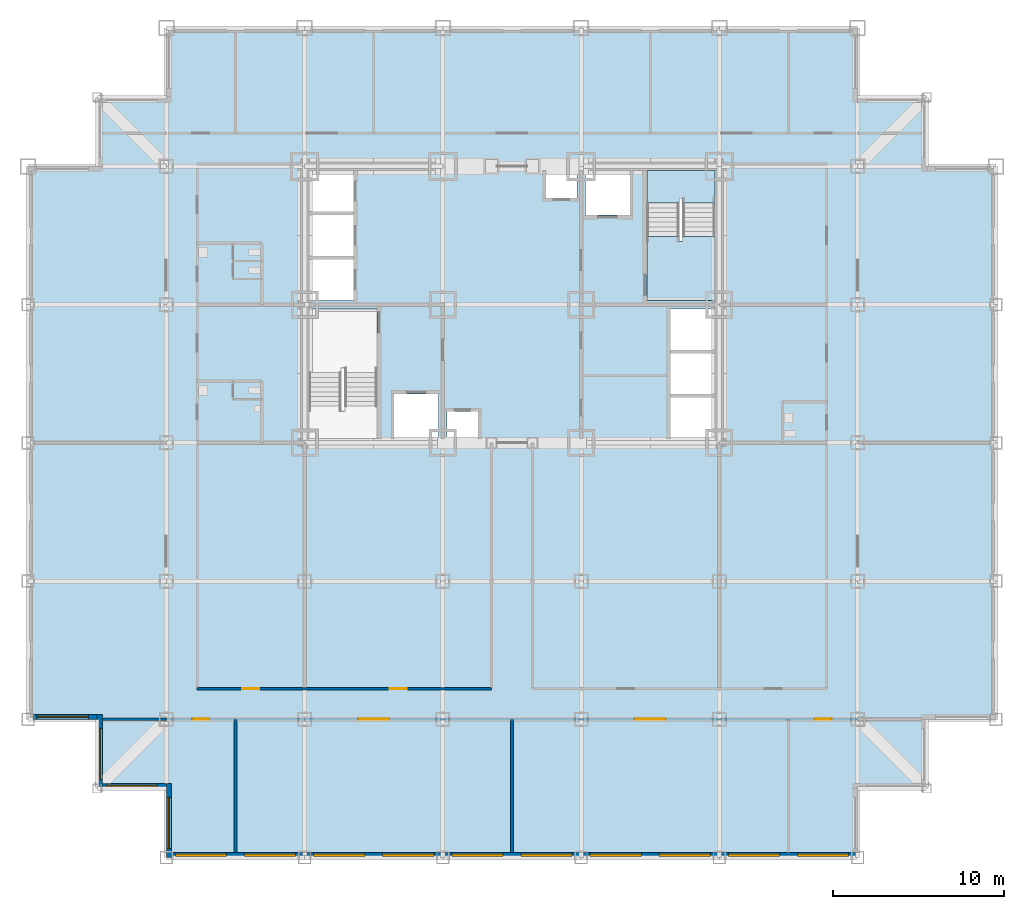
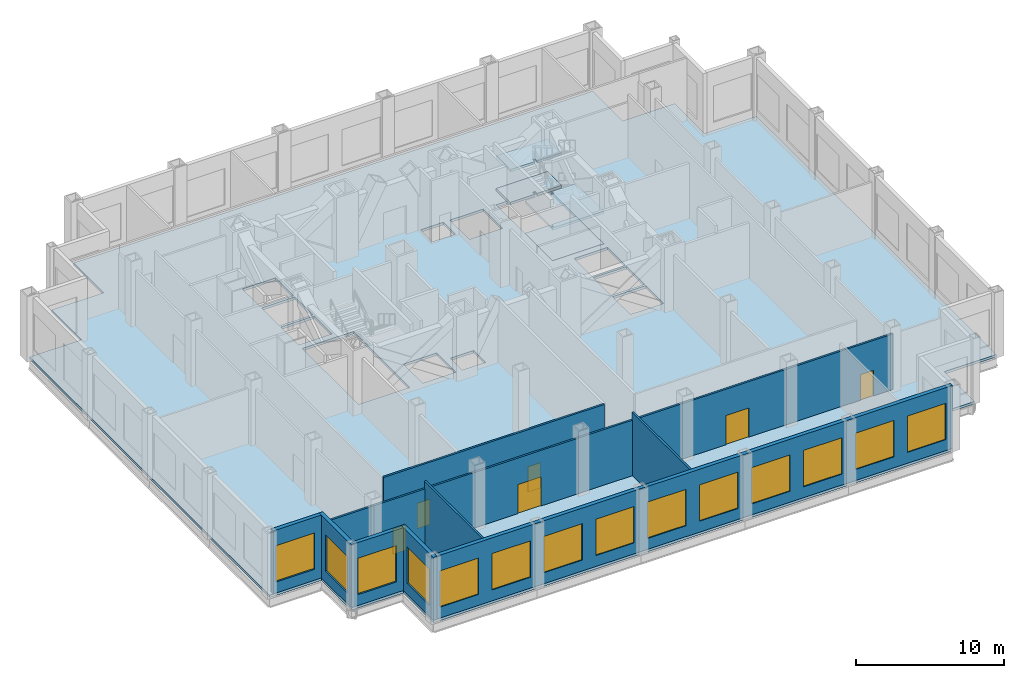
# One storey, part 3 of 10: 14 windows, 10 walls, 6 doors, 5 slabs, 20 openings, 1 element without a shape of its own.
"""IFC4 building model written with IfcOpenShell, lengths in metres."""

from ifc_helpers import new_model, si_unit, direction, frame, frame_2d, origin, place, context, subcontext, project, spatial, polyline, rectangle, outline, extrude, material, layer, layer_set, type_object, element, fill, aggregate, save


model = new_model("IFC4")

# Units and contexts
model_context = context("Model", 3, precision=1e-05, world=origin(), true_north=direction((0.0, 1.0)))
body_context = subcontext(model_context, "Body", "Model", "MODEL_VIEW")
ifc_project = project(units=[si_unit("LENGTHUNIT", "METRE"), si_unit("AREAUNIT", "SQUARE_METRE"), si_unit("VOLUMEUNIT", "CUBIC_METRE"), si_unit("PLANEANGLEUNIT", "RADIAN"), si_unit("MASSUNIT", "GRAM", prefix="KILO")], contexts=[model_context])

# Site, building, storey
site_placement = place(None, origin())
site = spatial("IfcSite", under=ifc_project, at=site_placement, CompositionType="ELEMENT")
building_placement = place(site_placement, origin())
building = spatial("IfcBuilding", under=site, at=building_placement, Name="Kopane Lantern Tower", CompositionType="ELEMENT")
storey_placement = place(building_placement, frame((0.0, 0.0, 27.60009765625)))
storey = spatial("IfcBuildingStorey", under=building, at=storey_placement, Name="L05", CompositionType="ELEMENT", Elevation=27.60009765625)

# Slab
ifc_material_1 = material(Name="Concrete C40/50", Category="concrete")
ifc_layer_1 = layer(ifc_material_1, 0.2099609375)
ifc_layer_set_1 = layer_set([ifc_layer_1], Name="SLAB 210 COMPOSITE")
slab_type_1 = type_object("IfcSlabType", Name="SLAB 210 COMPOSITE", PredefinedType="FLOOR", material=ifc_layer_set_1)
slab_1_placement = place(storey_placement, frame((0.0, 0.0, -0.210205078125)))
element("IfcSlab", 1, at=slab_1_placement, inside=storey, type_object=slab_type_1, Name="Floor slab L05", PredefinedType="FLOOR", context=body_context, shape_type="SweptSolid", body=[
    extrude(outline(polyline([(8.10009765625, 0.0), (48.60009765625, 0.0), (48.60009765625, 4.050048828125), (52.64990234375, 4.050048828125), (52.64990234375, 8.10009765625), (56.699951171875, 8.10009765625), (56.699951171875, 40.5), (52.64990234375, 40.5), (52.64990234375, 44.550048828125), (48.60009765625, 44.550048828125), (48.60009765625, 48.60009765625), (8.10009765625, 48.60009765625), (8.10009765625, 44.550048828125), (4.050048828125, 44.550048828125), (4.050048828125, 40.5), (0.0, 40.5), (0.0, 8.10009765625), (4.050048828125, 8.10009765625), (4.050048828125, 4.050048828125), (8.10009765625, 4.050048828125), (8.10009765625, 0.0)]), holes=[polyline([(16.449951171875, 24.550048828125), (20.449951171875, 24.550048828125), (20.449951171875, 32.14990234375), (16.449951171875, 32.14990234375), (16.449951171875, 24.550048828125)]), polyline([(36.25, 32.64990234375), (40.25, 32.64990234375), (40.25, 40.25), (36.25, 40.25), (36.25, 32.64990234375)]), polyline([(16.449951171875, 32.64990234375), (19.050048828125, 32.64990234375), (19.050048828125, 35.050048828125), (16.449951171875, 35.050048828125), (16.449951171875, 32.64990234375)]), polyline([(16.449951171875, 35.25), (19.050048828125, 35.25), (19.050048828125, 37.64990234375), (16.449951171875, 37.64990234375), (16.449951171875, 35.25)]), polyline([(16.449951171875, 37.85009765625), (19.050048828125, 37.85009765625), (19.050048828125, 40.25), (16.449951171875, 40.25), (16.449951171875, 37.85009765625)]), polyline([(37.64990234375, 24.550048828125), (40.25, 24.550048828125), (40.25, 26.949951171875), (37.64990234375, 26.949951171875), (37.64990234375, 24.550048828125)]), polyline([(37.64990234375, 27.14990234375), (40.25, 27.14990234375), (40.25, 29.550048828125), (37.64990234375, 29.550048828125), (37.64990234375, 27.14990234375)]), polyline([(37.64990234375, 29.75), (40.25, 29.75), (40.25, 32.14990234375), (37.64990234375, 32.14990234375), (37.64990234375, 29.75)]), polyline([(21.449951171875, 24.550048828125), (24.050048828125, 24.550048828125), (24.050048828125, 27.14990234375), (21.449951171875, 27.14990234375), (21.449951171875, 24.550048828125)]), polyline([(32.64990234375, 37.64990234375), (35.25, 37.64990234375), (35.25, 40.25), (32.64990234375, 40.25), (32.64990234375, 37.64990234375)]), polyline([(24.550048828125, 24.550048828125), (26.35009765625, 24.550048828125), (26.35009765625, 26.14990234375), (24.550048828125, 26.14990234375), (24.550048828125, 24.550048828125)]), polyline([(30.35009765625, 38.64990234375), (32.14990234375, 38.64990234375), (32.14990234375, 40.25), (30.35009765625, 40.25), (30.35009765625, 38.64990234375)])]), origin(), (0.0, 0.0, 1.0), 0.210205078125),
])

# Stair, slabs
ifc_material_2 = material(Name="Steel S355JR", Category="steel")
stair_type = type_object("IfcStairType", Name="EXIT STAIR 1900 HALF TURN", PredefinedType="HALF_TURN_STAIR", material=ifc_material_2)
stair_placement = place(storey_placement, origin())
stair = element("IfcStair", 2, at=stair_placement, inside=storey, type_object=stair_type, Name="Exit stair ST2 L05", PredefinedType="HALF_TURN_STAIR")
ifc_material_3 = material(Name="Concrete C40/50", Category="concrete")
ifc_layer_2 = layer(ifc_material_3, 0.199951171875)
ifc_layer_set_2 = layer_set([ifc_layer_2], Name="STAIR LANDING 200")
slab_type_2 = type_object("IfcSlabType", Name="STAIR LANDING 200", PredefinedType="LANDING", material=ifc_layer_set_2)
slab_2_placement = place(storey_placement, frame((0.0, 0.0, -0.2001953125)))
slab_2 = element("IfcSlab", 3, at=slab_2_placement, type_object=slab_type_2, Name="ST2 landing 1", PredefinedType="LANDING", context=body_context, shape_type="SweptSolid", body=[
    extrude(outline(polyline([(40.25, 36.389892578125), (38.35009765625, 36.389892578125), (38.35009765625, 36.110107421875), (38.14990234375, 36.110107421875), (38.14990234375, 36.389892578125), (36.25, 36.389892578125), (36.25, 32.64990234375), (40.25, 32.64990234375), (40.25, 36.389892578125)])), origin(), (0.0, 0.0, 1.0), 0.2001953125),
])
slab_3_placement = place(storey_placement, frame((0.0, 0.0, 1.14990234375)))
slab_3 = element("IfcSlab", 4, at=slab_3_placement, type_object=slab_type_2, Name="ST2 landing 2", PredefinedType="LANDING", context=body_context, shape_type="SweptSolid", body=[
    extrude(outline(polyline([(38.14990234375, 38.6298828125), (38.35009765625, 38.6298828125), (38.35009765625, 38.35009765625), (40.25, 38.35009765625), (40.25, 40.25), (36.25, 40.25), (36.25, 38.35009765625), (38.14990234375, 38.35009765625), (38.14990234375, 38.6298828125)])), origin(), (0.0, 0.0, 1.0), 0.199951171875),
])
slab_4_placement = place(storey_placement, frame((0.0, 0.0, 2.5)))
slab_4 = element("IfcSlab", 5, at=slab_4_placement, type_object=slab_type_2, Name="ST2 landing 3", PredefinedType="LANDING", context=body_context, shape_type="SweptSolid", body=[
    extrude(outline(polyline([(40.25, 36.389892578125), (38.35009765625, 36.389892578125), (38.35009765625, 36.110107421875), (38.14990234375, 36.110107421875), (38.14990234375, 36.389892578125), (36.25, 36.389892578125), (36.25, 32.64990234375), (40.25, 32.64990234375), (40.25, 36.389892578125)])), origin(), (0.0, 0.0, 1.0), 0.199951171875),
])
slab_5_placement = place(storey_placement, frame((0.0, 0.0, 3.849853515625)))
slab_5 = element("IfcSlab", 6, at=slab_5_placement, type_object=slab_type_2, Name="ST2 landing 4", PredefinedType="LANDING", context=body_context, shape_type="SweptSolid", body=[
    extrude(outline(polyline([(38.14990234375, 38.6298828125), (38.35009765625, 38.6298828125), (38.35009765625, 38.35009765625), (40.25, 38.35009765625), (40.25, 40.25), (36.25, 40.25), (36.25, 38.35009765625), (38.14990234375, 38.35009765625), (38.14990234375, 38.6298828125)])), origin(), (0.0, 0.0, 1.0), 0.199951171875),
])
aggregate(stair, [slab_2, slab_3, slab_4, slab_5])

# Wall, openings, doors
ifc_material_4 = material(Name="Gypsum board on steel studs", Category="steel")
ifc_layer_3 = layer(ifc_material_4, 0.14990234375)
ifc_layer_set_3 = layer_set([ifc_layer_3], Name="CORRIDOR WALL 150 EI 60")
wall_type_1 = type_object("IfcWallType", Name="CORRIDOR WALL 150 EI 60", PredefinedType="PARTITIONING", material=ifc_layer_set_3)
wall_1_placement = place(storey_placement, frame((8.10009765625, 8.10009765625, 0.0), z_axis=(0.0, 0.0, 1.0), x_axis=(1.0, 0.0, 0.0)))
wall_1 = element("IfcWall", 7, at=wall_1_placement, inside=storey, type_object=wall_type_1, Name="Corridor Wall 150 Ei 60 L05", PredefinedType="PARTITIONING", context=body_context, shape_type="SweptSolid", body=[
    extrude(rectangle(XDim=40.5, YDim=0.14990234375, at=frame_2d((20.25, 0.0))), origin(), (0.0, 0.0, 1.0), 4.57763671875),
])
opening_1_placement = place(wall_1_placement, frame((11.25, 0.0, 0.0)))
opening_1 = element("IfcOpeningElement", 8, at=opening_1_placement, cuts=wall_1, Name="Opening L05-012", PredefinedType="OPENING", context=body_context, shape_type="SweptSolid", body=[
    extrude(rectangle(XDim=1.800048828125, YDim=2.39990234375, at=frame_2d((0.89990234375, 1.199951171875))), frame((0.0, 0.0849609375, 0.0), z_axis=(0.0, -1.0, 0.0), x_axis=(1.0, 0.0, 0.0)), (0.0, 0.0, 1.0), 0.169921875),
])
opening_2_placement = place(wall_1_placement, frame((27.449951171875, 0.0, 0.0)))
opening_2 = element("IfcOpeningElement", 9, at=opening_2_placement, cuts=wall_1, Name="Opening L05-013", PredefinedType="OPENING", context=body_context, shape_type="SweptSolid", body=[
    extrude(rectangle(XDim=1.800048828125, YDim=2.39990234375, at=frame_2d((0.89990234375, 1.199951171875))), frame((0.0, 0.0849609375, 0.0), z_axis=(0.0, -1.0, 0.0), x_axis=(1.0, 0.0, 0.0)), (0.0, 0.0, 1.0), 0.169921875),
])
opening_3_placement = place(wall_1_placement, frame((1.52490234375, 0.0, 0.0)))
opening_3 = element("IfcOpeningElement", 10, at=opening_3_placement, cuts=wall_1, Name="Opening L05-021", PredefinedType="OPENING", context=body_context, shape_type="SweptSolid", body=[
    extrude(rectangle(XDim=1.0, YDim=2.10009765625, at=frame_2d((0.5, 1.050048828125))), frame((0.0, 0.0849609375, 0.0), z_axis=(0.0, -1.0, 0.0), x_axis=(1.0, 0.0, 0.0)), (0.0, 0.0, 1.0), 0.169921875),
])
opening_4_placement = place(wall_1_placement, frame((37.97509765625, 0.0, 0.0)))
opening_4 = element("IfcOpeningElement", 11, at=opening_4_placement, cuts=wall_1, Name="Opening L05-022", PredefinedType="OPENING", context=body_context, shape_type="SweptSolid", body=[
    extrude(rectangle(XDim=1.0, YDim=2.10009765625, at=frame_2d((0.5, 1.050048828125))), frame((0.0, 0.0849609375, 0.0), z_axis=(0.0, -1.0, 0.0), x_axis=(1.0, 0.0, 0.0)), (0.0, 0.0, 1.0), 0.169921875),
])
ifc_material_5 = material(Name="Steel door set", Category="steel")
door_type_1 = type_object("IfcDoorType", Name="DOOR D5 1000x2100 FD60", OperationType="SINGLE_SWING_LEFT", PredefinedType="DOOR", material=ifc_material_5)
door_1_placement = place(opening_3_placement, origin())
door_1 = element("IfcDoor", 12, at=door_1_placement, inside=storey, type_object=door_type_1, Name="Door L05-021", OperationType="SINGLE_SWING_LEFT", OverallHeight=2.10009765625, OverallWidth=1.0, PredefinedType="DOOR", context=body_context, shape_type="SweptSolid", body=[
    extrude(rectangle(XDim=1.0, YDim=2.10009765625, at=frame_2d((0.5, 1.050048828125))), frame((0.0, 0.02490234375, 0.0), z_axis=(0.0, -1.0, 0.0), x_axis=(1.0, 0.0, 0.0)), (0.0, 0.0, 1.0), 0.050048828125),
])
fill(opening_3, door_1)
door_2_placement = place(opening_4_placement, origin())
door_2 = element("IfcDoor", 13, at=door_2_placement, inside=storey, type_object=door_type_1, Name="Door L05-022", OperationType="SINGLE_SWING_RIGHT", OverallHeight=2.10009765625, OverallWidth=1.0, PredefinedType="DOOR", context=body_context, shape_type="SweptSolid", body=[
    extrude(rectangle(XDim=1.0, YDim=2.10009765625, at=frame_2d((0.5, 1.050048828125))), frame((0.0, 0.02490234375, 0.0), z_axis=(0.0, -1.0, 0.0), x_axis=(1.0, 0.0, 0.0)), (0.0, 0.0, 1.0), 0.050048828125),
])
fill(opening_4, door_2)
ifc_material_6 = material(Name="Steel door set", Category="steel")
door_type_2 = type_object("IfcDoorType", Name="DOOR D6 1800x2400 FD30S", OperationType="SINGLE_SWING_LEFT", PredefinedType="DOOR", material=ifc_material_6)
door_3_placement = place(opening_1_placement, origin())
door_3 = element("IfcDoor", 14, at=door_3_placement, inside=storey, type_object=door_type_2, Name="Door L05-012", OperationType="DOUBLE_DOOR_SINGLE_SWING", OverallHeight=2.39990234375, OverallWidth=1.800048828125, PredefinedType="DOOR", context=body_context, shape_type="SweptSolid", body=[
    extrude(rectangle(XDim=1.800048828125, YDim=2.39990234375, at=frame_2d((0.89990234375, 1.199951171875))), frame((0.0, 0.02490234375, 0.0), z_axis=(0.0, -1.0, 0.0), x_axis=(1.0, 0.0, 0.0)), (0.0, 0.0, 1.0), 0.050048828125),
])
fill(opening_1, door_3)
ifc_material_7 = material(Name="Steel door set", Category="steel")
door_type_3 = type_object("IfcDoorType", Name="DOOR D8 1800x2400 FD120", OperationType="SINGLE_SWING_LEFT", PredefinedType="DOOR", material=ifc_material_7)
door_4_placement = place(opening_2_placement, origin())
door_4 = element("IfcDoor", 15, at=door_4_placement, inside=storey, type_object=door_type_3, Name="Door L05-013", OperationType="DOUBLE_DOOR_SINGLE_SWING", OverallHeight=2.39990234375, OverallWidth=1.800048828125, PredefinedType="DOOR", context=body_context, shape_type="SweptSolid", body=[
    extrude(rectangle(XDim=1.800048828125, YDim=2.39990234375, at=frame_2d((0.89990234375, 1.199951171875))), frame((0.0, 0.02490234375, 0.0), z_axis=(0.0, -1.0, 0.0), x_axis=(1.0, 0.0, 0.0)), (0.0, 0.0, 1.0), 0.050048828125),
])
fill(opening_2, door_4)

wall_2_placement = place(storey_placement, frame((9.89990234375, 9.89990234375, 0.0), z_axis=(0.0, 0.0, 1.0), x_axis=(1.0, 0.0, 0.0)))
wall_2 = element("IfcWall", 16, at=wall_2_placement, inside=storey, type_object=wall_type_1, Name="Corridor Wall 150 Ei 60 L05", PredefinedType="PARTITIONING", context=body_context, shape_type="SweptSolid", body=[
    extrude(rectangle(XDim=17.239990234375, YDim=0.14990234375, at=frame_2d((8.6201171875, 0.0))), origin(), (0.0, 0.0, 1.0), 5.18994140625),
])
opening_5_placement = place(wall_2_placement, frame((2.64990234375, 0.0, 0.0)))
opening_5 = element("IfcOpeningElement", 17, at=opening_5_placement, cuts=wall_2, Name="Opening L05-008", PredefinedType="OPENING", context=body_context, shape_type="SweptSolid", body=[
    extrude(rectangle(XDim=1.0, YDim=2.10009765625, at=frame_2d((0.5, 1.050048828125))), frame((0.0, 0.0849609375, 0.0), z_axis=(0.0, -1.0, 0.0), x_axis=(1.0, 0.0, 0.0)), (0.0, 0.0, 1.0), 0.169921875),
])
opening_6_placement = place(wall_2_placement, frame((11.27490234375, 0.0, 0.0)))
opening_6 = element("IfcOpeningElement", 18, at=opening_6_placement, cuts=wall_2, Name="Opening L05-009", PredefinedType="OPENING", context=body_context, shape_type="SweptSolid", body=[
    extrude(rectangle(XDim=1.0, YDim=2.10009765625, at=frame_2d((0.5, 1.050048828125))), frame((0.0, 0.0849609375, 0.0), z_axis=(0.0, -1.0, 0.0), x_axis=(1.0, 0.0, 0.0)), (0.0, 0.0, 1.0), 0.169921875),
])
door_5_placement = place(opening_5_placement, origin())
door_5 = element("IfcDoor", 19, at=door_5_placement, inside=storey, type_object=door_type_1, Name="Door L05-008", OperationType="SINGLE_SWING_LEFT", OverallHeight=2.10009765625, OverallWidth=1.0, PredefinedType="DOOR", context=body_context, shape_type="SweptSolid", body=[
    extrude(rectangle(XDim=1.0, YDim=2.10009765625, at=frame_2d((0.5, 1.050048828125))), frame((0.0, 0.02490234375, 0.0), z_axis=(0.0, -1.0, 0.0), x_axis=(1.0, 0.0, 0.0)), (0.0, 0.0, 1.0), 0.050048828125),
])
fill(opening_5, door_5)
door_6_placement = place(opening_6_placement, origin())
door_6 = element("IfcDoor", 20, at=door_6_placement, inside=storey, type_object=door_type_1, Name="Door L05-009", OperationType="SINGLE_SWING_RIGHT", OverallHeight=2.10009765625, OverallWidth=1.0, PredefinedType="DOOR", context=body_context, shape_type="SweptSolid", body=[
    extrude(rectangle(XDim=1.0, YDim=2.10009765625, at=frame_2d((0.5, 1.050048828125))), frame((0.0, 0.02490234375, 0.0), z_axis=(0.0, -1.0, 0.0), x_axis=(1.0, 0.0, 0.0)), (0.0, 0.0, 1.0), 0.050048828125),
])
fill(opening_6, door_6)

# Walls
ifc_material_8 = material(Name="Gypsum board on steel studs", Category="steel")
ifc_layer_4 = layer(ifc_material_8, 0.14990234375)
ifc_layer_set_4 = layer_set([ifc_layer_4], Name="DEMISING WALL 150 EI 60")
wall_type_2 = type_object("IfcWallType", Name="DEMISING WALL 150 EI 60", PredefinedType="PARTITIONING", material=ifc_layer_set_4)
wall_3_placement = place(storey_placement, frame((28.35009765625, 8.10009765625, 0.0), z_axis=(0.0, 0.0, 1.0), x_axis=(0.0, -1.0, 0.0)))
element("IfcWall", 21, at=wall_3_placement, inside=storey, type_object=wall_type_2, Name="Demising Wall 150 Ei 60 L05", PredefinedType="PARTITIONING", context=body_context, shape_type="SweptSolid", body=[
    extrude(rectangle(XDim=7.800048828125, YDim=0.14990234375, at=frame_2d((3.89990234375, 0.0))), origin(), (0.0, 0.0, 1.0), 5.18994140625),
])
wall_4_placement = place(storey_placement, frame((4.35009765625, 8.10009765625, 0.0), z_axis=(0.0, 0.0, 1.0), x_axis=(1.0, 0.0, 0.0)))
element("IfcWall", 22, at=wall_4_placement, inside=storey, type_object=wall_type_2, Name="Demising Wall 150 Ei 60 L05", PredefinedType="PARTITIONING", context=body_context, shape_type="SweptSolid", body=[
    extrude(rectangle(XDim=3.75, YDim=0.14990234375, at=frame_2d((1.875, 0.0))), origin(), (0.0, 0.0, 1.0), 4.57763671875),
])
wall_5_placement = place(storey_placement, frame((12.14990234375, 8.10009765625, 0.0), z_axis=(0.0, 0.0, 1.0), x_axis=(0.0, -1.0, 0.0)))
element("IfcWall", 23, at=wall_5_placement, inside=storey, type_object=wall_type_2, Name="Demising Wall 150 Ei 60 L05", PredefinedType="PARTITIONING", context=body_context, shape_type="SweptSolid", body=[
    extrude(rectangle(XDim=7.800048828125, YDim=0.14990234375, at=frame_2d((3.89990234375, 0.0))), origin(), (0.0, 0.0, 1.0), 5.18994140625),
])

# Wall, openings, windows
ifc_material_9 = material(Name="Terracotta rainscreen on light steel framing", Category="masonry")
ifc_layer_5 = layer(ifc_material_9, 0.300048828125)
ifc_layer_set_5 = layer_set([ifc_layer_5], Name="EXTERNAL WALL EW1 300 TERRACOTTA")
wall_type_3 = type_object("IfcWallType", Name="EXTERNAL WALL EW1 300 TERRACOTTA", PredefinedType="SOLIDWALL", material=ifc_layer_set_5)
wall_6_placement = place(storey_placement, frame((8.39990234375, 0.14990234375, 0.0), z_axis=(0.0, 0.0, 1.0), x_axis=(1.0, 0.0, 0.0)))
wall_6 = element("IfcWall", 24, at=wall_6_placement, inside=storey, type_object=wall_type_3, Name="External wall S L05", PredefinedType="SOLIDWALL", context=body_context, shape_type="SweptSolid", body=[
    extrude(rectangle(XDim=40.2001953125, YDim=0.300048828125, at=frame_2d((20.10009765625, 0.0))), origin(), (0.0, 0.0, 1.0), 5.18994140625),
])
opening_7_placement = place(wall_6_placement, frame((0.22509765625, 0.0, 0.89990234375)))
opening_7 = element("IfcOpeningElement", 25, at=opening_7_placement, cuts=wall_6, Name="Opening LV300300", PredefinedType="OPENING", context=body_context, shape_type="SweptSolid", body=[
    extrude(rectangle(XDim=3.0, YDim=3.0, at=frame_2d((1.5, 1.5))), frame((0.0, 0.159912109375, 0.0), z_axis=(0.0, -1.0, 0.0), x_axis=(1.0, 0.0, 0.0)), (0.0, 0.0, 1.0), 0.320068359375),
])
opening_8_placement = place(wall_6_placement, frame((4.27490234375, 0.0, 0.89990234375)))
opening_8 = element("IfcOpeningElement", 26, at=opening_8_placement, cuts=wall_6, Name="Opening LV300300", PredefinedType="OPENING", context=body_context, shape_type="SweptSolid", body=[
    extrude(rectangle(XDim=3.0, YDim=3.0, at=frame_2d((1.5, 1.5))), frame((0.0, 0.159912109375, 0.0), z_axis=(0.0, -1.0, 0.0), x_axis=(1.0, 0.0, 0.0)), (0.0, 0.0, 1.0), 0.320068359375),
])
opening_9_placement = place(wall_6_placement, frame((8.324951171875, 0.0, 0.89990234375)))
opening_9 = element("IfcOpeningElement", 27, at=opening_9_placement, cuts=wall_6, Name="Opening LV300300", PredefinedType="OPENING", context=body_context, shape_type="SweptSolid", body=[
    extrude(rectangle(XDim=3.0, YDim=3.0, at=frame_2d((1.5, 1.5))), frame((0.0, 0.159912109375, 0.0), z_axis=(0.0, -1.0, 0.0), x_axis=(1.0, 0.0, 0.0)), (0.0, 0.0, 1.0), 0.320068359375),
])
opening_10_placement = place(wall_6_placement, frame((12.375, 0.0, 0.89990234375)))
opening_10 = element("IfcOpeningElement", 28, at=opening_10_placement, cuts=wall_6, Name="Opening LV300300", PredefinedType="OPENING", context=body_context, shape_type="SweptSolid", body=[
    extrude(rectangle(XDim=3.0, YDim=3.0, at=frame_2d((1.5, 1.5))), frame((0.0, 0.159912109375, 0.0), z_axis=(0.0, -1.0, 0.0), x_axis=(1.0, 0.0, 0.0)), (0.0, 0.0, 1.0), 0.320068359375),
])
opening_11_placement = place(wall_6_placement, frame((16.425048828125, 0.0, 0.89990234375)))
opening_11 = element("IfcOpeningElement", 29, at=opening_11_placement, cuts=wall_6, Name="Opening LV300300", PredefinedType="OPENING", context=body_context, shape_type="SweptSolid", body=[
    extrude(rectangle(XDim=3.0, YDim=3.0, at=frame_2d((1.5, 1.5))), frame((0.0, 0.159912109375, 0.0), z_axis=(0.0, -1.0, 0.0), x_axis=(1.0, 0.0, 0.0)), (0.0, 0.0, 1.0), 0.320068359375),
])
opening_12_placement = place(wall_6_placement, frame((20.47509765625, 0.0, 0.89990234375)))
opening_12 = element("IfcOpeningElement", 30, at=opening_12_placement, cuts=wall_6, Name="Opening LV300300", PredefinedType="OPENING", context=body_context, shape_type="SweptSolid", body=[
    extrude(rectangle(XDim=3.0, YDim=3.0, at=frame_2d((1.5, 1.5))), frame((0.0, 0.159912109375, 0.0), z_axis=(0.0, -1.0, 0.0), x_axis=(1.0, 0.0, 0.0)), (0.0, 0.0, 1.0), 0.320068359375),
])
opening_13_placement = place(wall_6_placement, frame((24.52490234375, 0.0, 0.89990234375)))
opening_13 = element("IfcOpeningElement", 31, at=opening_13_placement, cuts=wall_6, Name="Opening LV300300", PredefinedType="OPENING", context=body_context, shape_type="SweptSolid", body=[
    extrude(rectangle(XDim=3.0, YDim=3.0, at=frame_2d((1.5, 1.5))), frame((0.0, 0.159912109375, 0.0), z_axis=(0.0, -1.0, 0.0), x_axis=(1.0, 0.0, 0.0)), (0.0, 0.0, 1.0), 0.320068359375),
])
opening_14_placement = place(wall_6_placement, frame((28.574951171875, 0.0, 0.89990234375)))
opening_14 = element("IfcOpeningElement", 32, at=opening_14_placement, cuts=wall_6, Name="Opening LV300300", PredefinedType="OPENING", context=body_context, shape_type="SweptSolid", body=[
    extrude(rectangle(XDim=3.0, YDim=3.0, at=frame_2d((1.5, 1.5))), frame((0.0, 0.159912109375, 0.0), z_axis=(0.0, -1.0, 0.0), x_axis=(1.0, 0.0, 0.0)), (0.0, 0.0, 1.0), 0.320068359375),
])
opening_15_placement = place(wall_6_placement, frame((32.625, 0.0, 0.89990234375)))
opening_15 = element("IfcOpeningElement", 33, at=opening_15_placement, cuts=wall_6, Name="Opening LV300300", PredefinedType="OPENING", context=body_context, shape_type="SweptSolid", body=[
    extrude(rectangle(XDim=3.0, YDim=3.0, at=frame_2d((1.5, 1.5))), frame((0.0, 0.159912109375, 0.0), z_axis=(0.0, -1.0, 0.0), x_axis=(1.0, 0.0, 0.0)), (0.0, 0.0, 1.0), 0.320068359375),
])
opening_16_placement = place(wall_6_placement, frame((36.675048828125, 0.0, 0.89990234375)))
opening_16 = element("IfcOpeningElement", 34, at=opening_16_placement, cuts=wall_6, Name="Opening LV300300", PredefinedType="OPENING", context=body_context, shape_type="SweptSolid", body=[
    extrude(rectangle(XDim=3.0, YDim=3.0, at=frame_2d((1.5, 1.5))), frame((0.0, 0.159912109375, 0.0), z_axis=(0.0, -1.0, 0.0), x_axis=(1.0, 0.0, 0.0)), (0.0, 0.0, 1.0), 0.320068359375),
])
ifc_material_10 = material(Name="Aluminium louvre blades", Category="aluminium")
window_type_1 = type_object("IfcWindowType", Name="PLANT LOUVRE LV300300 3000x3000x150", PartitioningType="SINGLE_PANEL", PredefinedType="USERDEFINED", material=ifc_material_10)
window_1_placement = place(opening_7_placement, origin())
window_1 = element("IfcWindow", 35, at=window_1_placement, inside=storey, type_object=window_type_1, Name="Louvre S L05", ObjectType="LOUVRE", OverallHeight=3.0, OverallWidth=3.0, PartitioningType="SINGLE_PANEL", PredefinedType="USERDEFINED", context=body_context, shape_type="SweptSolid", body=[
    extrude(rectangle(XDim=3.0, YDim=3.0, at=frame_2d((1.5, 1.5))), frame((0.0, 0.074951171875, 0.0), z_axis=(0.0, -1.0, 0.0), x_axis=(1.0, 0.0, 0.0)), (0.0, 0.0, 1.0), 0.14990234375),
])
fill(opening_7, window_1)
window_2_placement = place(opening_8_placement, origin())
window_2 = element("IfcWindow", 36, at=window_2_placement, inside=storey, type_object=window_type_1, Name="Louvre S L05", ObjectType="LOUVRE", OverallHeight=3.0, OverallWidth=3.0, PartitioningType="SINGLE_PANEL", PredefinedType="USERDEFINED", context=body_context, shape_type="SweptSolid", body=[
    extrude(rectangle(XDim=3.0, YDim=3.0, at=frame_2d((1.5, 1.5))), frame((0.0, 0.074951171875, 0.0), z_axis=(0.0, -1.0, 0.0), x_axis=(1.0, 0.0, 0.0)), (0.0, 0.0, 1.0), 0.14990234375),
])
fill(opening_8, window_2)
window_3_placement = place(opening_9_placement, origin())
window_3 = element("IfcWindow", 37, at=window_3_placement, inside=storey, type_object=window_type_1, Name="Louvre S L05", ObjectType="LOUVRE", OverallHeight=3.0, OverallWidth=3.0, PartitioningType="SINGLE_PANEL", PredefinedType="USERDEFINED", context=body_context, shape_type="SweptSolid", body=[
    extrude(rectangle(XDim=3.0, YDim=3.0, at=frame_2d((1.5, 1.5))), frame((0.0, 0.074951171875, 0.0), z_axis=(0.0, -1.0, 0.0), x_axis=(1.0, 0.0, 0.0)), (0.0, 0.0, 1.0), 0.14990234375),
])
fill(opening_9, window_3)
window_4_placement = place(opening_10_placement, origin())
window_4 = element("IfcWindow", 38, at=window_4_placement, inside=storey, type_object=window_type_1, Name="Louvre S L05", ObjectType="LOUVRE", OverallHeight=3.0, OverallWidth=3.0, PartitioningType="SINGLE_PANEL", PredefinedType="USERDEFINED", context=body_context, shape_type="SweptSolid", body=[
    extrude(rectangle(XDim=3.0, YDim=3.0, at=frame_2d((1.5, 1.5))), frame((0.0, 0.074951171875, 0.0), z_axis=(0.0, -1.0, 0.0), x_axis=(1.0, 0.0, 0.0)), (0.0, 0.0, 1.0), 0.14990234375),
])
fill(opening_10, window_4)
window_5_placement = place(opening_11_placement, origin())
window_5 = element("IfcWindow", 39, at=window_5_placement, inside=storey, type_object=window_type_1, Name="Louvre S L05", ObjectType="LOUVRE", OverallHeight=3.0, OverallWidth=3.0, PartitioningType="SINGLE_PANEL", PredefinedType="USERDEFINED", context=body_context, shape_type="SweptSolid", body=[
    extrude(rectangle(XDim=3.0, YDim=3.0, at=frame_2d((1.5, 1.5))), frame((0.0, 0.074951171875, 0.0), z_axis=(0.0, -1.0, 0.0), x_axis=(1.0, 0.0, 0.0)), (0.0, 0.0, 1.0), 0.14990234375),
])
fill(opening_11, window_5)
window_6_placement = place(opening_12_placement, origin())
window_6 = element("IfcWindow", 40, at=window_6_placement, inside=storey, type_object=window_type_1, Name="Louvre S L05", ObjectType="LOUVRE", OverallHeight=3.0, OverallWidth=3.0, PartitioningType="SINGLE_PANEL", PredefinedType="USERDEFINED", context=body_context, shape_type="SweptSolid", body=[
    extrude(rectangle(XDim=3.0, YDim=3.0, at=frame_2d((1.5, 1.5))), frame((0.0, 0.074951171875, 0.0), z_axis=(0.0, -1.0, 0.0), x_axis=(1.0, 0.0, 0.0)), (0.0, 0.0, 1.0), 0.14990234375),
])
fill(opening_12, window_6)
window_7_placement = place(opening_13_placement, origin())
window_7 = element("IfcWindow", 41, at=window_7_placement, inside=storey, type_object=window_type_1, Name="Louvre S L05", ObjectType="LOUVRE", OverallHeight=3.0, OverallWidth=3.0, PartitioningType="SINGLE_PANEL", PredefinedType="USERDEFINED", context=body_context, shape_type="SweptSolid", body=[
    extrude(rectangle(XDim=3.0, YDim=3.0, at=frame_2d((1.5, 1.5))), frame((0.0, 0.074951171875, 0.0), z_axis=(0.0, -1.0, 0.0), x_axis=(1.0, 0.0, 0.0)), (0.0, 0.0, 1.0), 0.14990234375),
])
fill(opening_13, window_7)
window_8_placement = place(opening_14_placement, origin())
window_8 = element("IfcWindow", 42, at=window_8_placement, inside=storey, type_object=window_type_1, Name="Louvre S L05", ObjectType="LOUVRE", OverallHeight=3.0, OverallWidth=3.0, PartitioningType="SINGLE_PANEL", PredefinedType="USERDEFINED", context=body_context, shape_type="SweptSolid", body=[
    extrude(rectangle(XDim=3.0, YDim=3.0, at=frame_2d((1.5, 1.5))), frame((0.0, 0.074951171875, 0.0), z_axis=(0.0, -1.0, 0.0), x_axis=(1.0, 0.0, 0.0)), (0.0, 0.0, 1.0), 0.14990234375),
])
fill(opening_14, window_8)
window_9_placement = place(opening_15_placement, origin())
window_9 = element("IfcWindow", 43, at=window_9_placement, inside=storey, type_object=window_type_1, Name="Louvre S L05", ObjectType="LOUVRE", OverallHeight=3.0, OverallWidth=3.0, PartitioningType="SINGLE_PANEL", PredefinedType="USERDEFINED", context=body_context, shape_type="SweptSolid", body=[
    extrude(rectangle(XDim=3.0, YDim=3.0, at=frame_2d((1.5, 1.5))), frame((0.0, 0.074951171875, 0.0), z_axis=(0.0, -1.0, 0.0), x_axis=(1.0, 0.0, 0.0)), (0.0, 0.0, 1.0), 0.14990234375),
])
fill(opening_15, window_9)
window_10_placement = place(opening_16_placement, origin())
window_10 = element("IfcWindow", 44, at=window_10_placement, inside=storey, type_object=window_type_1, Name="Louvre S L05", ObjectType="LOUVRE", OverallHeight=3.0, OverallWidth=3.0, PartitioningType="SINGLE_PANEL", PredefinedType="USERDEFINED", context=body_context, shape_type="SweptSolid", body=[
    extrude(rectangle(XDim=3.0, YDim=3.0, at=frame_2d((1.5, 1.5))), frame((0.0, 0.074951171875, 0.0), z_axis=(0.0, -1.0, 0.0), x_axis=(1.0, 0.0, 0.0)), (0.0, 0.0, 1.0), 0.14990234375),
])
fill(opening_16, window_10)

# Wall, opening, window
wall_7_placement = place(storey_placement, frame((0.300048828125, 8.25, 0.0), z_axis=(0.0, 0.0, 1.0), x_axis=(1.0, 0.0, 0.0)))
wall_7 = element("IfcWall", 45, at=wall_7_placement, inside=storey, type_object=wall_type_3, Name="External wall S L05", PredefinedType="SOLIDWALL", context=body_context, shape_type="SweptSolid", body=[
    extrude(rectangle(XDim=3.75, YDim=0.300048828125, at=frame_2d((1.875, 0.0))), origin(), (0.0, 0.0, 1.0), 5.18994140625),
])
opening_17_placement = place(wall_7_placement, frame((0.22509765625, 0.0, 0.89990234375)))
opening_17 = element("IfcOpeningElement", 46, at=opening_17_placement, cuts=wall_7, Name="Opening WR300300", PredefinedType="OPENING", context=body_context, shape_type="SweptSolid", body=[
    extrude(rectangle(XDim=3.0, YDim=3.0, at=frame_2d((1.5, 1.5))), frame((0.0, 0.159912109375, 0.0), z_axis=(0.0, -1.0, 0.0), x_axis=(1.0, 0.0, 0.0)), (0.0, 0.0, 1.0), 0.320068359375),
])
ifc_material_11 = material(Name="Aluminium and clear glass", Category="aluminium")
window_type_2 = type_object("IfcWindowType", Name="RIBBON WINDOW WR300300 3000x3000", PartitioningType="SINGLE_PANEL", PredefinedType="WINDOW", material=ifc_material_11)
window_11_placement = place(opening_17_placement, origin())
window_11 = element("IfcWindow", 47, at=window_11_placement, inside=storey, type_object=window_type_2, Name="Window S L05", OverallHeight=3.0, OverallWidth=3.0, PartitioningType="SINGLE_PANEL", PredefinedType="WINDOW", context=body_context, shape_type="SweptSolid", body=[
    extrude(rectangle(XDim=3.0, YDim=3.0, at=frame_2d((1.5, 1.5))), frame((0.0, 0.030029296875, 0.0), z_axis=(0.0, -1.0, 0.0), x_axis=(1.0, 0.0, 0.0)), (0.0, 0.0, 1.0), 0.06005859375),
])
fill(opening_17, window_11)

wall_8_placement = place(storey_placement, frame((4.199951171875, 8.39990234375, 0.0), z_axis=(0.0, 0.0, 1.0), x_axis=(0.0, -1.0, 0.0)))
wall_8 = element("IfcWall", 48, at=wall_8_placement, inside=storey, type_object=wall_type_3, Name="External wall W L05", PredefinedType="SOLIDWALL", context=body_context, shape_type="SweptSolid", body=[
    extrude(rectangle(XDim=4.349853515625, YDim=0.300048828125, at=frame_2d((2.1748046875, 0.0))), origin(), (0.0, 0.0, 1.0), 5.18994140625),
])
opening_18_placement = place(wall_8_placement, frame((0.824951171875, 0.0, 0.89990234375)))
opening_18 = element("IfcOpeningElement", 49, at=opening_18_placement, cuts=wall_8, Name="Opening WR300300", PredefinedType="OPENING", context=body_context, shape_type="SweptSolid", body=[
    extrude(rectangle(XDim=3.0, YDim=3.0, at=frame_2d((1.5, 1.5))), frame((0.0, 0.159912109375, 0.0), z_axis=(0.0, -1.0, 0.0), x_axis=(1.0, 0.0, 0.0)), (0.0, 0.0, 1.0), 0.320068359375),
])
window_12_placement = place(opening_18_placement, origin())
window_12 = element("IfcWindow", 50, at=window_12_placement, inside=storey, type_object=window_type_2, Name="Window W L05", OverallHeight=3.0, OverallWidth=3.0, PartitioningType="SINGLE_PANEL", PredefinedType="WINDOW", context=body_context, shape_type="SweptSolid", body=[
    extrude(rectangle(XDim=3.0, YDim=3.0, at=frame_2d((1.5, 1.5))), frame((0.0, 0.030029296875, 0.0), z_axis=(0.0, -1.0, 0.0), x_axis=(1.0, 0.0, 0.0)), (0.0, 0.0, 1.0), 0.06005859375),
])
fill(opening_18, window_12)

wall_9_placement = place(storey_placement, frame((4.35009765625, 4.199951171875, 0.0), z_axis=(0.0, 0.0, 1.0), x_axis=(1.0, 0.0, 0.0)))
wall_9 = element("IfcWall", 51, at=wall_9_placement, inside=storey, type_object=wall_type_3, Name="External wall S L05", PredefinedType="SOLIDWALL", context=body_context, shape_type="SweptSolid", body=[
    extrude(rectangle(XDim=3.75, YDim=0.300048828125, at=frame_2d((1.875, 0.0))), origin(), (0.0, 0.0, 1.0), 5.18994140625),
])
opening_19_placement = place(wall_9_placement, frame((0.22509765625, 0.0, 0.89990234375)))
opening_19 = element("IfcOpeningElement", 52, at=opening_19_placement, cuts=wall_9, Name="Opening WR300300", PredefinedType="OPENING", context=body_context, shape_type="SweptSolid", body=[
    extrude(rectangle(XDim=3.0, YDim=3.0, at=frame_2d((1.5, 1.5))), frame((0.0, 0.159912109375, 0.0), z_axis=(0.0, -1.0, 0.0), x_axis=(1.0, 0.0, 0.0)), (0.0, 0.0, 1.0), 0.320068359375),
])
window_13_placement = place(opening_19_placement, origin())
window_13 = element("IfcWindow", 53, at=window_13_placement, inside=storey, type_object=window_type_2, Name="Window S L05", OverallHeight=3.0, OverallWidth=3.0, PartitioningType="SINGLE_PANEL", PredefinedType="WINDOW", context=body_context, shape_type="SweptSolid", body=[
    extrude(rectangle(XDim=3.0, YDim=3.0, at=frame_2d((1.5, 1.5))), frame((0.0, 0.030029296875, 0.0), z_axis=(0.0, -1.0, 0.0), x_axis=(1.0, 0.0, 0.0)), (0.0, 0.0, 1.0), 0.06005859375),
])
fill(opening_19, window_13)

wall_10_placement = place(storey_placement, frame((8.25, 4.35009765625, 0.0), z_axis=(0.0, 0.0, 1.0), x_axis=(0.0, -1.0, 0.0)))
wall_10 = element("IfcWall", 54, at=wall_10_placement, inside=storey, type_object=wall_type_3, Name="External wall W L05", PredefinedType="SOLIDWALL", context=body_context, shape_type="SweptSolid", body=[
    extrude(rectangle(XDim=4.35009765625, YDim=0.300048828125, at=frame_2d((2.175048828125, 0.0))), origin(), (0.0, 0.0, 1.0), 5.18994140625),
])
opening_20_placement = place(wall_10_placement, frame((0.824951171875, 0.0, 0.89990234375)))
opening_20 = element("IfcOpeningElement", 55, at=opening_20_placement, cuts=wall_10, Name="Opening WR300300", PredefinedType="OPENING", context=body_context, shape_type="SweptSolid", body=[
    extrude(rectangle(XDim=3.0, YDim=3.0, at=frame_2d((1.5, 1.5))), frame((0.0, 0.159912109375, 0.0), z_axis=(0.0, -1.0, 0.0), x_axis=(1.0, 0.0, 0.0)), (0.0, 0.0, 1.0), 0.320068359375),
])
window_14_placement = place(opening_20_placement, origin())
window_14 = element("IfcWindow", 56, at=window_14_placement, inside=storey, type_object=window_type_2, Name="Window W L05", OverallHeight=3.0, OverallWidth=3.0, PartitioningType="SINGLE_PANEL", PredefinedType="WINDOW", context=body_context, shape_type="SweptSolid", body=[
    extrude(rectangle(XDim=3.0, YDim=3.0, at=frame_2d((1.5, 1.5))), frame((0.0, 0.030029296875, 0.0), z_axis=(0.0, -1.0, 0.0), x_axis=(1.0, 0.0, 0.0)), (0.0, 0.0, 1.0), 0.06005859375),
])
fill(opening_20, window_14)

save(model, "model.ifc")
